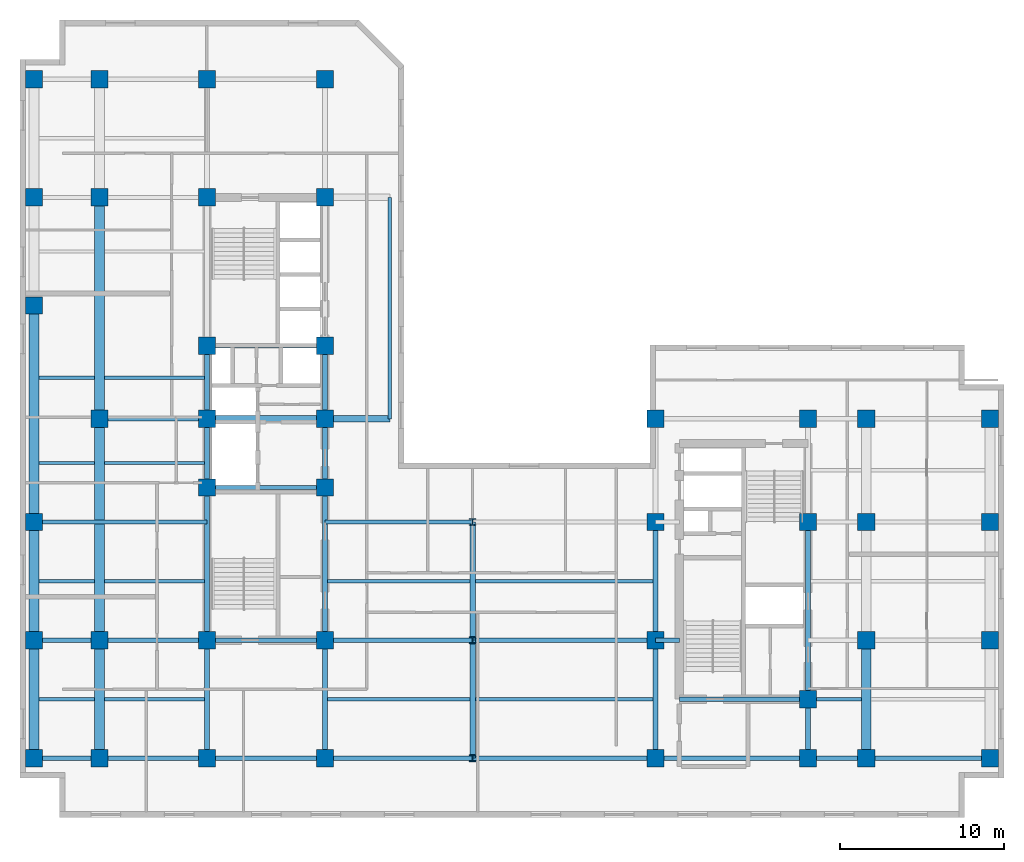
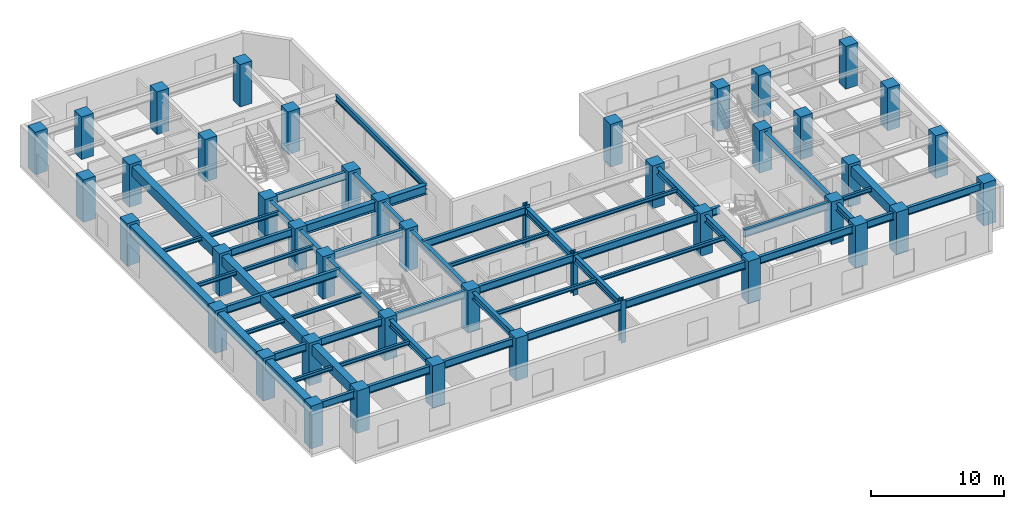
# One storey, part 1 of 10: 56 beams, 44 columns.
"""IFC4 building model written with IfcOpenShell, lengths in metres."""

import ifcopenshell
import ifcopenshell.guid

model = None  # the IFC model being written
_history = None  # IfcOwnerHistory: only IFC2X3 demands one
_inside = {}  # id of a spatial element -> (the spatial element, [elements in it])
_under = {}  # id of a project, library or spatial element -> (it, [spatial elements below it])
_declared = {}  # id of a project -> (the project, [libraries it declares])
_typed = {}  # id of a type object -> (the type object, [elements of that type])
_made_of = {}  # id of a material, layer set ... -> (it, [elements and type objects made of it])


def new_model(schema):
    """Start an empty IFC model of exactly this schema.

    Asked for "IFC4X3", IfcOpenShell would pick the latest addendum, in which some entities
    have other attributes; the version numbers below select the first issue.
    IFC2X3 requires an IfcOwnerHistory on every rooted entity: one is made here for all.
    """
    global model, _history
    if schema == "IFC4X3":
        model = ifcopenshell.file(schema_version=(4, 3, 0, 0))
    else:
        model = ifcopenshell.file(schema=schema)
    _inside.clear()
    _under.clear()
    _declared.clear()
    _typed.clear()
    _made_of.clear()
    _history = None
    if model.schema == "IFC2X3":
        org = make("IfcOrganization", Name="unknown")
        user = make(
            "IfcPersonAndOrganization",
            ThePerson=make("IfcPerson", FamilyName="unknown"),
            TheOrganization=org,
        )
        app = make(
            "IfcApplication",
            ApplicationDeveloper=org,
            Version="unknown",
            ApplicationFullName="unknown",
            ApplicationIdentifier="unknown",
        )
        _history = make(
            "IfcOwnerHistory",
            OwningUser=user,
            OwningApplication=app,
            ChangeAction="ADDED",
            CreationDate=0,
        )
    return model


def make(cls, **values):
    """One entity of the class cls with the attributes given. An attribute that is None is left unset."""
    return model.create_entity(
        cls, **{name: value for name, value in values.items() if value is not None}
    )


def entity(cls, *values):
    """Any entity or typed value of the class cls, its attributes in the order of the schema. None: left unset."""
    e = model.create_entity(cls)
    for i, value in enumerate(values):
        if value is not None:
            e[i] = value
    return e


def rooted(cls, **values):
    """An entity with a GlobalId (a new one), such as an element, a storey or a relation."""
    return make(cls, GlobalId=ifcopenshell.guid.new(), OwnerHistory=_history, **values)


def si_unit(unit_type, name, prefix=None):
    """IfcSIUnit, for example si_unit("LENGTHUNIT", "METRE", prefix="MILLI")."""
    return make("IfcSIUnit", UnitType=unit_type, Prefix=prefix, Name=name)


def converted_unit(unit_type, name, factor, base, dimensions=None, offset=None):
    """IfcConversionBasedUnit, such as the inch: factor (a typed value) times the base unit."""
    return make(
        "IfcConversionBasedUnit"
        if offset is None
        else "IfcConversionBasedUnitWithOffset",
        ConversionOffset=offset,
        Dimensions=None
        if dimensions is None
        else entity("IfcDimensionalExponents", *dimensions),
        UnitType=unit_type,
        Name=name,
        ConversionFactor=make(
            "IfcMeasureWithUnit", ValueComponent=factor, UnitComponent=base
        ),
    )


def assignment(units):
    """IfcUnitAssignment: the units of a project."""
    return None if units is None else make("IfcUnitAssignment", Units=units)


def point(xyz):
    """IfcCartesianPoint."""
    return None if xyz is None else make("IfcCartesianPoint", Coordinates=xyz)


def direction(xyz):
    """IfcDirection."""
    return None if xyz is None else make("IfcDirection", DirectionRatios=xyz)


def frame(location, z_axis=None, x_axis=None):
    """IfcAxis2Placement3D, a coordinate frame: its origin and axes. An axis left out is left unset."""
    return make(
        "IfcAxis2Placement3D",
        Location=point(location),
        Axis=direction(z_axis),
        RefDirection=direction(x_axis),
    )


def frame_2d(location, x_axis=None):
    """IfcAxis2Placement2D, a coordinate frame in the plane: its origin and x axis."""
    return make(
        "IfcAxis2Placement2D", Location=point(location), RefDirection=direction(x_axis)
    )


def origin_with_axes():
    """The frame at (0, 0, 0) with the z axis (0, 0, 1) and the x axis (1, 0, 0) written out."""
    return frame((0.0, 0.0, 0.0), z_axis=(0.0, 0.0, 1.0), x_axis=(1.0, 0.0, 0.0))


def origin_2d_with_axis():
    """The frame at (0, 0) in the plane with the x axis (1, 0) written out."""
    return frame_2d((0.0, 0.0), x_axis=(1.0, 0.0))


def place(relative_to, where):
    """IfcLocalPlacement: puts the frame where relative to a parent placement (None: the world)."""
    return make(
        "IfcLocalPlacement", PlacementRelTo=relative_to, RelativePlacement=where
    )


def context(
    kind, dimensions, precision=None, world=None, true_north=None, identifier=None
):
    """IfcGeometricRepresentationContext, for example the 3D "Model" context."""
    return make(
        "IfcGeometricRepresentationContext",
        ContextIdentifier=identifier,
        ContextType=kind,
        CoordinateSpaceDimension=dimensions,
        Precision=precision,
        WorldCoordinateSystem=world,
        TrueNorth=true_north,
    )


def subcontext(parent, identifier, kind, view, scale=None):
    """IfcGeometricRepresentationSubContext, for example "Body" below "Model"."""
    return make(
        "IfcGeometricRepresentationSubContext",
        ContextIdentifier=identifier,
        ContextType=kind,
        ParentContext=parent,
        TargetScale=scale,
        TargetView=view,
    )


def project(units=None, contexts=None):
    """IfcProject with its units and contexts."""
    return rooted(
        "IfcProject",
        Name="project",
        RepresentationContexts=contexts,
        UnitsInContext=assignment(units),
    )


def spatial(cls, under=None, at=None, **own):
    """A site, building, storey or space (cls), placed at a placement, below another one or the project."""
    s = rooted(cls, ObjectPlacement=at, **own)
    if under is not None:
        _under.setdefault(under.id(), (under, []))[1].append(s)
    return s


def profile(cls, at=None, kind="AREA", **sizes):
    """A parametric profile (cls). Its sizes go by their IFC names, for example OverallWidth=200.0."""
    return make(cls, ProfileType=kind, Position=at, **sizes)


def rectangle(**sizes):
    """IfcRectangleProfileDef."""
    return profile("IfcRectangleProfileDef", **sizes)


def i_section(**sizes):
    """IfcIShapeProfileDef."""
    return profile("IfcIShapeProfileDef", **sizes)


def extrude(swept, where, along, depth):
    """IfcExtrudedAreaSolid: the profile swept, set in the frame where, extruded along a direction by depth."""
    return make(
        "IfcExtrudedAreaSolid",
        SweptArea=swept,
        Position=where,
        ExtrudedDirection=direction(along),
        Depth=depth,
    )


def shape(context_of_items, identifier, shape_type, items):
    """IfcShapeRepresentation: the items that make up one representation, for example the "Body"."""
    return make(
        "IfcShapeRepresentation",
        ContextOfItems=context_of_items,
        RepresentationIdentifier=identifier,
        RepresentationType=shape_type,
        Items=items,
    )


def material(Name=None, Category=None):
    """IfcMaterial."""
    return make("IfcMaterial", Name=Name, Category=Category)


def material_profile(
    of_material, cross_section, Name=None, Category=None, Priority=None
):
    """IfcMaterialProfile: a cross section and its material."""
    return make(
        "IfcMaterialProfile",
        Name=Name,
        Material=of_material,
        Profile=cross_section,
        Priority=Priority,
        Category=Category,
    )


def profile_set(profiles, Name=None, composite=None):
    """IfcMaterialProfileSet."""
    return make(
        "IfcMaterialProfileSet",
        Name=Name,
        MaterialProfiles=profiles,
        CompositeProfile=composite,
    )


def made_of(thing, what):
    """Note that an element or type object is made of a material, layer set ...; save() writes the relation."""
    if what is not None:
        _made_of.setdefault(what.id(), (what, []))[1].append(thing)
    return thing


def type_object(cls, material=None, **own):
    """A type object (cls), such as IfcWallType, which elements share."""
    return made_of(rooted(cls, **own), material)


def element(
    cls,
    number,
    at=None,
    inside=None,
    cuts=None,
    type_object=None,
    material=None,
    context=None,
    identifier="Body",
    shape_type=None,
    held_by="IfcProductDefinitionShape",
    body=None,
    shapes=None,
    **own,
):
    """One element of the class cls, such as IfcWall. Its Tag is "e" and its number.

    at: its placement. inside: the storey or other place that contains it. cuts: it is an
    opening in that element (IfcRelVoidsElement). A single representation is given by context,
    identifier, shape_type and body (its items); several are given by shapes. held_by: the class
    of the entity that holds the representations. save() writes the other relations.
    """
    e = rooted(cls, Tag="e%d" % number, ObjectPlacement=at, **own)
    if body is not None:
        shapes = [shape(context, identifier, shape_type, body)]
    if shapes is not None:
        e.Representation = make(held_by, Representations=shapes)
    if inside is not None:
        _inside.setdefault(inside.id(), (inside, []))[1].append(e)
    if cuts is not None:
        rooted(
            "IfcRelVoidsElement", RelatingBuildingElement=cuts, RelatedOpeningElement=e
        )
    if type_object is not None:
        _typed.setdefault(type_object.id(), (type_object, []))[1].append(e)
    return made_of(e, material)


def aggregate(whole, parts):
    """IfcRelAggregates: a whole, such as a stair, and the parts it consists of."""
    return rooted("IfcRelAggregates", RelatingObject=whole, RelatedObjects=parts)


def save(model, path):
    """Write the relations noted so far, then the file.

    IfcRelAggregates (storeys below a building ...), IfcRelContainedInSpatialStructure (elements
    in a storey), IfcRelDefinesByType, IfcRelAssociatesMaterial and IfcRelDeclares: one each for
    every whole, place, type object, material and project.
    """
    for whole, parts in _under.values():
        aggregate(whole, parts)
    for where, things in _inside.values():
        rooted(
            "IfcRelContainedInSpatialStructure",
            RelatedElements=things,
            RelatingStructure=where,
        )
    for kind, things in _typed.values():
        rooted("IfcRelDefinesByType", RelatedObjects=things, RelatingType=kind)
    for what, things in _made_of.values():
        rooted("IfcRelAssociatesMaterial", RelatedObjects=things, RelatingMaterial=what)
    for by, libraries in _declared.values():
        rooted("IfcRelDeclares", RelatingContext=by, RelatedDefinitions=libraries)
    model.write(path)


model = new_model("IFC4")

# Units and contexts
model_context = context("Model", 3, precision=1e-05, world=origin_with_axes(), true_north=direction((0.0, 1.0)))
body_context = subcontext(model_context, "Body", "Model", "MODEL_VIEW")
ifc_project = project(units=[si_unit("LENGTHUNIT", "METRE"), si_unit("AREAUNIT", "SQUARE_METRE"), si_unit("VOLUMEUNIT", "CUBIC_METRE"), converted_unit("PLANEANGLEUNIT", "DEGREE", entity("IfcPlaneAngleMeasure", 0.017453292519943295), si_unit("PLANEANGLEUNIT", "RADIAN"), dimensions=[0, 0, 0, 0, 0, 0, 0]), si_unit("MASSUNIT", "GRAM", prefix="KILO"), si_unit("THERMODYNAMICTEMPERATUREUNIT", "KELVIN")], contexts=[model_context])

# Site, building, storey
site_placement = place(None, origin_with_axes())
site = spatial("IfcSite", under=ifc_project, at=site_placement, CompositionType="ELEMENT")
building_placement = place(site_placement, origin_with_axes())
building = spatial("IfcBuilding", under=site, at=building_placement, Name="Varnlund Millrace Tower", CompositionType="ELEMENT")
storey_placement = place(building_placement, frame((0.0, 0.0, 160.2), z_axis=(0.0, 0.0, 1.0), x_axis=(1.0, 0.0, 0.0)))
storey = spatial("IfcBuildingStorey", under=building, at=storey_placement, Name="L39", CompositionType="ELEMENT", Elevation=160.2)

# Columns
ifc_material_1 = material(Name="Steel ASTM A913 Grade 65", Category="steel")
ifc_material_profile_1 = material_profile(ifc_material_1, i_section(OverallWidth=0.406, OverallDepth=0.416, WebThickness=0.0298, FlangeThickness=0.048, FilletRadius=0.022, at=origin_2d_with_axis()), Name="Steel ASTM A913 Grade 65")
ifc_profile_set_1 = profile_set([ifc_material_profile_1], Name="Steel ASTM A913 Grade 65")
column_type_1 = type_object("IfcColumnType", Name="Type-Col-Int-W14X257", PredefinedType="COLUMN", material=ifc_profile_set_1)
for number, where, z_axis, x_axis, name in (
    (1, (27.6, 3.6, 0.0), (0.0, 0.0, 1.0), (1.0, 0.0, 0.0), "Type-Col-Int-W14X257"),
    (2, (27.6, 10.8, 0.0), (0.0, 0.0, 1.0), (1.0, 0.0, 0.0), "Type-Col-Int-W14X257"),
    (3, (27.6, 18.0, 0.0), (0.0, 0.0, 1.0), (1.0, 0.0, 0.0), "Type-Col-Int-W14X257"),
):
    element("IfcColumn", number, at=place(storey_placement, frame(where, z_axis=z_axis, x_axis=x_axis)), inside=storey, type_object=column_type_1, Name=name, PredefinedType="COLUMN", context=body_context, shape_type="SweptSolid", body=[
        extrude(i_section(OverallWidth=0.406, OverallDepth=0.416, WebThickness=0.0298, FlangeThickness=0.048, FilletRadius=0.022, at=origin_2d_with_axis()), origin_with_axes(), (0.0, 0.0, 1.0), 3.9),
    ])
ifc_material_2 = material(Name="Concrete C70/85", Category="concrete")
ifc_material_profile_2 = material_profile(ifc_material_2, rectangle(XDim=1.05, YDim=1.05, at=origin_2d_with_axis()), Name="Concrete C70/85")
ifc_profile_set_2 = profile_set([ifc_material_profile_2], Name="Concrete C70/85")
column_type_2 = type_object("IfcColumnType", Name="Type-Col-RC1050-C70", PredefinedType="COLUMN", material=ifc_profile_set_2)
for number, where, z_axis, x_axis, name in (
    (4, (11.4, 3.6, 0.0), (0.0, 0.0, 1.0), (1.0, 0.0, 0.0), "Type-Col-RC1050-C70"),
    (5, (11.4, 10.8, 0.0), (0.0, 0.0, 1.0), (1.0, 0.0, 0.0), "Type-Col-RC1050-C70"),
    (6, (11.4, 20.1, 0.0), (0.0, 0.0, 1.0), (1.0, 0.0, 0.0), "Type-Col-RC1050-C70"),
    (7, (11.4, 24.3, 0.0), (0.0, 0.0, 1.0), (1.0, 0.0, 0.0), "Type-Col-RC1050-C70"),
    (8, (11.4, 28.75, 0.0), (0.0, 0.0, 1.0), (1.0, 0.0, 0.0), "Type-Col-RC1050-C70"),
    (9, (11.4, 37.8, 0.0), (0.0, 0.0, 1.0), (1.0, 0.0, 0.0), "Type-Col-RC1050-C70"),
    (10, (11.4, 45.0, 0.0), (0.0, 0.0, 1.0), (1.0, 0.0, 0.0), "Type-Col-RC1050-C70"),
    (11, (18.6, 3.6, 0.0), (0.0, 0.0, 1.0), (1.0, 0.0, 0.0), "Type-Col-RC1050-C70"),
    (12, (18.6, 10.8, 0.0), (0.0, 0.0, 1.0), (1.0, 0.0, 0.0), "Type-Col-RC1050-C70"),
    (13, (18.6, 20.1, 0.0), (0.0, 0.0, 1.0), (1.0, 0.0, 0.0), "Type-Col-RC1050-C70"),
    (14, (18.6, 24.3, 0.0), (0.0, 0.0, 1.0), (1.0, 0.0, 0.0), "Type-Col-RC1050-C70"),
    (15, (18.6, 28.75, 0.0), (0.0, 0.0, 1.0), (1.0, 0.0, 0.0), "Type-Col-RC1050-C70"),
    (16, (18.6, 37.8, 0.0), (0.0, 0.0, 1.0), (1.0, 0.0, 0.0), "Type-Col-RC1050-C70"),
    (17, (18.6, 45.0, 0.0), (0.0, 0.0, 1.0), (1.0, 0.0, 0.0), "Type-Col-RC1050-C70"),
    (18, (4.85, 3.6, 0.0), (0.0, 0.0, 1.0), (1.0, 0.0, 0.0), "Type-Col-RC1050-C70"),
    (19, (4.85, 10.8, 0.0), (0.0, 0.0, 1.0), (1.0, 0.0, 0.0), "Type-Col-RC1050-C70"),
    (20, (4.85, 24.3, 0.0), (0.0, 0.0, 1.0), (1.0, 0.0, 0.0), "Type-Col-RC1050-C70"),
    (21, (4.85, 37.8, 0.0), (0.0, 0.0, 1.0), (1.0, 0.0, 0.0), "Type-Col-RC1050-C70"),
    (22, (4.85, 45.0, 0.0), (0.0, 0.0, 1.0), (1.0, 0.0, 0.0), "Type-Col-RC1050-C70"),
    (23, (0.85, 3.6, 0.0), (0.0, 0.0, 1.0), (1.0, 0.0, 0.0), "Type-Col-RC1050-C70"),
    (24, (0.85, 10.8, 0.0), (0.0, 0.0, 1.0), (1.0, 0.0, 0.0), "Type-Col-RC1050-C70"),
    (25, (0.85, 18.0, 0.0), (0.0, 0.0, 1.0), (1.0, 0.0, 0.0), "Type-Col-RC1050-C70"),
    (26, (0.85, 31.2, 0.0), (0.0, 0.0, 1.0), (1.0, 0.0, 0.0), "Type-Col-RC1050-C70"),
    (27, (0.85, 37.8, 0.0), (0.0, 0.0, 1.0), (1.0, 0.0, 0.0), "Type-Col-RC1050-C70"),
    (28, (0.85, 45.0, 0.0), (0.0, 0.0, 1.0), (1.0, 0.0, 0.0), "Type-Col-RC1050-C70"),
    (29, (38.75, 3.6, 0.0), (0.0, 0.0, 1.0), (1.0, 0.0, 0.0), "Type-Col-RC1050-C70"),
    (30, (38.75, 10.8, 0.0), (0.0, 0.0, 1.0), (1.0, 0.0, 0.0), "Type-Col-RC1050-C70"),
    (31, (38.75, 18.0, 0.0), (0.0, 0.0, 1.0), (1.0, 0.0, 0.0), "Type-Col-RC1050-C70"),
    (32, (38.75, 24.3, 0.0), (0.0, 0.0, 1.0), (1.0, 0.0, 0.0), "Type-Col-RC1050-C70"),
    (33, (48.05, 3.6, 0.0), (0.0, 0.0, 1.0), (1.0, 0.0, 0.0), "Type-Col-RC1050-C70"),
    (34, (48.05, 7.2, 0.0), (0.0, 0.0, 1.0), (1.0, 0.0, 0.0), "Type-Col-RC1050-C70"),
    (35, (48.05, 18.0, 0.0), (0.0, 0.0, 1.0), (1.0, 0.0, 0.0), "Type-Col-RC1050-C70"),
    (36, (48.05, 24.3, 0.0), (0.0, 0.0, 1.0), (1.0, 0.0, 0.0), "Type-Col-RC1050-C70"),
    (37, (51.6, 3.6, 0.0), (0.0, 0.0, 1.0), (1.0, 0.0, 0.0), "Type-Col-RC1050-C70"),
    (38, (51.6, 10.8, 0.0), (0.0, 0.0, 1.0), (1.0, 0.0, 0.0), "Type-Col-RC1050-C70"),
    (39, (51.6, 18.0, 0.0), (0.0, 0.0, 1.0), (1.0, 0.0, 0.0), "Type-Col-RC1050-C70"),
    (40, (51.6, 24.3, 0.0), (0.0, 0.0, 1.0), (1.0, 0.0, 0.0), "Type-Col-RC1050-C70"),
    (41, (59.15, 3.6, 0.0), (0.0, 0.0, 1.0), (1.0, 0.0, 0.0), "Type-Col-RC1050-C70"),
    (42, (59.15, 10.8, 0.0), (0.0, 0.0, 1.0), (1.0, 0.0, 0.0), "Type-Col-RC1050-C70"),
    (43, (59.15, 18.0, 0.0), (0.0, 0.0, 1.0), (1.0, 0.0, 0.0), "Type-Col-RC1050-C70"),
    (44, (59.15, 24.3, 0.0), (0.0, 0.0, 1.0), (1.0, 0.0, 0.0), "Type-Col-RC1050-C70"),
):
    element("IfcColumn", number, at=place(storey_placement, frame(where, z_axis=z_axis, x_axis=x_axis)), inside=storey, type_object=column_type_2, Name=name, PredefinedType="COLUMN", context=body_context, shape_type="SweptSolid", body=[
        extrude(rectangle(XDim=1.05, YDim=1.05, at=origin_2d_with_axis()), origin_with_axes(), (0.0, 0.0, 1.0), 3.9),
    ])

# Beams
ifc_material_3 = material(Name="Steel ASTM A992 Grade 50", Category="steel")
ifc_material_profile_3 = material_profile(ifc_material_3, i_section(OverallWidth=0.209, OverallDepth=0.533, WebThickness=0.0102, FlangeThickness=0.0156, FilletRadius=0.014, at=origin_2d_with_axis()), Name="Steel ASTM A992 Grade 50")
ifc_profile_set_3 = profile_set([ifc_material_profile_3], Name="Steel ASTM A992 Grade 50")
beam_type_1 = type_object("IfcBeamType", Name="Type-Beam-W21X62", PredefinedType="BEAM", material=ifc_profile_set_3)
beam_1_placement = place(storey_placement, frame((22.55, 24.3, 3.3935), z_axis=(0.0, 1.0, 0.0), x_axis=(-1.0, 0.0, 0.0)))
element("IfcBeam", 45, at=beam_1_placement, inside=storey, type_object=beam_type_1, Name="Type-Beam-W21X62", PredefinedType="BEAM", context=body_context, shape_type="SweptSolid", body=[
    extrude(i_section(OverallWidth=0.209, OverallDepth=0.533, WebThickness=0.0102, FlangeThickness=0.0156, FilletRadius=0.014, at=origin_2d_with_axis()), origin_with_axes(), (0.0, 0.0, 1.0), 13.5),
])
ifc_material_profile_4 = material_profile(ifc_material_3, i_section(OverallWidth=0.328, OverallDepth=0.628, WebThickness=0.0165, FlangeThickness=0.0277, FilletRadius=0.018, at=origin_2d_with_axis()), Name="Steel ASTM A992 Grade 50")
ifc_profile_set_4 = profile_set([ifc_material_profile_4], Name="Steel ASTM A992 Grade 50")
beam_type_2 = type_object("IfcBeamType", Name="Type-Girder-W24X146", PredefinedType="USERDEFINED", material=ifc_profile_set_4)
beam_2_placement = place(storey_placement, frame((11.4, 3.6, 3.346), z_axis=(0.0, 1.0, 0.0), x_axis=(-1.0, 0.0, 0.0)))
element("IfcBeam", 46, at=beam_2_placement, inside=storey, type_object=beam_type_2, Name="Type-Girder-W24X146", ObjectType="GIRDER", PredefinedType="USERDEFINED", context=body_context, shape_type="SweptSolid", body=[
    extrude(i_section(OverallWidth=0.328, OverallDepth=0.628, WebThickness=0.0165, FlangeThickness=0.0277, FilletRadius=0.018, at=origin_2d_with_axis()), origin_with_axes(), (0.0, 0.0, 1.0), 7.2),
])
beam_3_placement = place(storey_placement, frame((11.4, 10.8, 3.346), z_axis=(0.0, 1.0, 0.0), x_axis=(-1.0, 0.0, 0.0)))
element("IfcBeam", 47, at=beam_3_placement, inside=storey, type_object=beam_type_2, Name="Type-Girder-W24X146", ObjectType="GIRDER", PredefinedType="USERDEFINED", context=body_context, shape_type="SweptSolid", body=[
    extrude(i_section(OverallWidth=0.328, OverallDepth=0.628, WebThickness=0.0165, FlangeThickness=0.0277, FilletRadius=0.018, at=origin_2d_with_axis()), origin_with_axes(), (0.0, 0.0, 1.0), 9.3),
])
beam_4_placement = place(storey_placement, frame((11.4, 20.1, 3.346), z_axis=(0.0, 1.0, 0.0), x_axis=(-1.0, 0.0, 0.0)))
element("IfcBeam", 48, at=beam_4_placement, inside=storey, type_object=beam_type_2, Name="Type-Girder-W24X146", ObjectType="GIRDER", PredefinedType="USERDEFINED", context=body_context, shape_type="SweptSolid", body=[
    extrude(i_section(OverallWidth=0.328, OverallDepth=0.628, WebThickness=0.0165, FlangeThickness=0.0277, FilletRadius=0.018, at=origin_2d_with_axis()), origin_with_axes(), (0.0, 0.0, 1.0), 4.2),
])
beam_5_placement = place(storey_placement, frame((11.4, 24.3, 3.346), z_axis=(0.0, 1.0, 0.0), x_axis=(-1.0, 0.0, 0.0)))
element("IfcBeam", 49, at=beam_5_placement, inside=storey, type_object=beam_type_2, Name="Type-Girder-W24X146", ObjectType="GIRDER", PredefinedType="USERDEFINED", context=body_context, shape_type="SweptSolid", body=[
    extrude(i_section(OverallWidth=0.328, OverallDepth=0.628, WebThickness=0.0165, FlangeThickness=0.0277, FilletRadius=0.018, at=origin_2d_with_axis()), origin_with_axes(), (0.0, 0.0, 1.0), 4.45),
])
beam_6_placement = place(storey_placement, frame((18.6, 3.6, 3.346), z_axis=(0.0, 1.0, 0.0), x_axis=(-1.0, 0.0, 0.0)))
element("IfcBeam", 50, at=beam_6_placement, inside=storey, type_object=beam_type_2, Name="Type-Girder-W24X146", ObjectType="GIRDER", PredefinedType="USERDEFINED", context=body_context, shape_type="SweptSolid", body=[
    extrude(i_section(OverallWidth=0.328, OverallDepth=0.628, WebThickness=0.0165, FlangeThickness=0.0277, FilletRadius=0.018, at=origin_2d_with_axis()), origin_with_axes(), (0.0, 0.0, 1.0), 7.2),
])
beam_7_placement = place(storey_placement, frame((18.6, 10.8, 3.346), z_axis=(0.0, 1.0, 0.0), x_axis=(-1.0, 0.0, 0.0)))
element("IfcBeam", 51, at=beam_7_placement, inside=storey, type_object=beam_type_2, Name="Type-Girder-W24X146", ObjectType="GIRDER", PredefinedType="USERDEFINED", context=body_context, shape_type="SweptSolid", body=[
    extrude(i_section(OverallWidth=0.328, OverallDepth=0.628, WebThickness=0.0165, FlangeThickness=0.0277, FilletRadius=0.018, at=origin_2d_with_axis()), origin_with_axes(), (0.0, 0.0, 1.0), 9.3),
])
beam_8_placement = place(storey_placement, frame((18.6, 20.1, 3.346), z_axis=(0.0, 1.0, 0.0), x_axis=(-1.0, 0.0, 0.0)))
element("IfcBeam", 52, at=beam_8_placement, inside=storey, type_object=beam_type_2, Name="Type-Girder-W24X146", ObjectType="GIRDER", PredefinedType="USERDEFINED", context=body_context, shape_type="SweptSolid", body=[
    extrude(i_section(OverallWidth=0.328, OverallDepth=0.628, WebThickness=0.0165, FlangeThickness=0.0277, FilletRadius=0.018, at=origin_2d_with_axis()), origin_with_axes(), (0.0, 0.0, 1.0), 4.2),
])
beam_9_placement = place(storey_placement, frame((18.6, 24.3, 3.346), z_axis=(0.0, 1.0, 0.0), x_axis=(-1.0, 0.0, 0.0)))
element("IfcBeam", 53, at=beam_9_placement, inside=storey, type_object=beam_type_2, Name="Type-Girder-W24X146", ObjectType="GIRDER", PredefinedType="USERDEFINED", context=body_context, shape_type="SweptSolid", body=[
    extrude(i_section(OverallWidth=0.328, OverallDepth=0.628, WebThickness=0.0165, FlangeThickness=0.0277, FilletRadius=0.018, at=origin_2d_with_axis()), origin_with_axes(), (0.0, 0.0, 1.0), 4.45),
])
for number, where, z_axis, x_axis, name in (
    (54, (27.6, 3.6, 3.346), (0.0, 1.0, 0.0), (-1.0, 0.0, 0.0), "Type-Girder-W24X146"),
    (55, (27.6, 10.8, 3.346), (0.0, 1.0, 0.0), (-1.0, 0.0, 0.0), "Type-Girder-W24X146"),
    (56, (38.75, 3.6, 3.346), (0.0, 1.0, 0.0), (-1.0, 0.0, 0.0), "Type-Girder-W24X146"),
    (57, (38.75, 10.8, 3.346), (0.0, 1.0, 0.0), (-1.0, 0.0, 0.0), "Type-Girder-W24X146"),
):
    element("IfcBeam", number, at=place(storey_placement, frame(where, z_axis=z_axis, x_axis=x_axis)), inside=storey, type_object=beam_type_2, Name=name, ObjectType="GIRDER", PredefinedType="USERDEFINED", context=body_context, shape_type="SweptSolid", body=[
        extrude(i_section(OverallWidth=0.328, OverallDepth=0.628, WebThickness=0.0165, FlangeThickness=0.0277, FilletRadius=0.018, at=origin_2d_with_axis()), origin_with_axes(), (0.0, 0.0, 1.0), 7.2),
    ])
beam_10_placement = place(storey_placement, frame((48.05, 3.6, 3.346), z_axis=(0.0, 1.0, 0.0), x_axis=(-1.0, 0.0, 0.0)))
element("IfcBeam", 58, at=beam_10_placement, inside=storey, type_object=beam_type_2, Name="Type-Girder-W24X146", ObjectType="GIRDER", PredefinedType="USERDEFINED", context=body_context, shape_type="SweptSolid", body=[
    extrude(i_section(OverallWidth=0.328, OverallDepth=0.628, WebThickness=0.0165, FlangeThickness=0.0277, FilletRadius=0.018, at=origin_2d_with_axis()), origin_with_axes(), (0.0, 0.0, 1.0), 3.6),
])
beam_11_placement = place(storey_placement, frame((48.05, 7.2, 3.346), z_axis=(0.0, 1.0, 0.0), x_axis=(-1.0, 0.0, 0.0)))
element("IfcBeam", 59, at=beam_11_placement, inside=storey, type_object=beam_type_2, Name="Type-Girder-W24X146", ObjectType="GIRDER", PredefinedType="USERDEFINED", context=body_context, shape_type="SweptSolid", body=[
    extrude(i_section(OverallWidth=0.328, OverallDepth=0.628, WebThickness=0.0165, FlangeThickness=0.0277, FilletRadius=0.018, at=origin_2d_with_axis()), origin_with_axes(), (0.0, 0.0, 1.0), 10.8),
])
ifc_material_profile_5 = material_profile(ifc_material_3, i_section(OverallWidth=0.256, OverallDepth=0.693, WebThickness=0.0145, FlangeThickness=0.0236, FilletRadius=0.018, at=origin_2d_with_axis()), Name="Steel ASTM A992 Grade 50")
ifc_profile_set_5 = profile_set([ifc_material_profile_5], Name="Steel ASTM A992 Grade 50")
beam_type_3 = type_object("IfcBeamType", Name="Type-Girder-W27X114", PredefinedType="USERDEFINED", material=ifc_profile_set_5)
beam_12_placement = place(storey_placement, frame((0.85, 3.6, 3.3135), z_axis=(1.0, 0.0, 0.0), x_axis=(0.0, 1.0, 0.0)))
element("IfcBeam", 60, at=beam_12_placement, inside=storey, type_object=beam_type_3, Name="Type-Girder-W27X114", ObjectType="GIRDER", PredefinedType="USERDEFINED", context=body_context, shape_type="SweptSolid", body=[
    extrude(i_section(OverallWidth=0.256, OverallDepth=0.693, WebThickness=0.0145, FlangeThickness=0.0236, FilletRadius=0.018, at=origin_2d_with_axis()), origin_with_axes(), (0.0, 0.0, 1.0), 4.0),
])
beam_13_placement = place(storey_placement, frame((4.85, 3.6, 3.3135), z_axis=(1.0, 0.0, 0.0), x_axis=(0.0, 1.0, 0.0)))
element("IfcBeam", 61, at=beam_13_placement, inside=storey, type_object=beam_type_3, Name="Type-Girder-W27X114", ObjectType="GIRDER", PredefinedType="USERDEFINED", context=body_context, shape_type="SweptSolid", body=[
    extrude(i_section(OverallWidth=0.256, OverallDepth=0.693, WebThickness=0.0145, FlangeThickness=0.0236, FilletRadius=0.018, at=origin_2d_with_axis()), origin_with_axes(), (0.0, 0.0, 1.0), 6.55),
])
beam_14_placement = place(storey_placement, frame((11.4, 3.6, 3.3135), z_axis=(1.0, 0.0, 0.0), x_axis=(0.0, 1.0, 0.0)))
element("IfcBeam", 62, at=beam_14_placement, inside=storey, type_object=beam_type_3, Name="Type-Girder-W27X114", ObjectType="GIRDER", PredefinedType="USERDEFINED", context=body_context, shape_type="SweptSolid", body=[
    extrude(i_section(OverallWidth=0.256, OverallDepth=0.693, WebThickness=0.0145, FlangeThickness=0.0236, FilletRadius=0.018, at=origin_2d_with_axis()), origin_with_axes(), (0.0, 0.0, 1.0), 7.2),
])
beam_15_placement = place(storey_placement, frame((18.6, 3.6, 3.3135), z_axis=(1.0, 0.0, 0.0), x_axis=(0.0, 1.0, 0.0)))
element("IfcBeam", 63, at=beam_15_placement, inside=storey, type_object=beam_type_3, Name="Type-Girder-W27X114", ObjectType="GIRDER", PredefinedType="USERDEFINED", context=body_context, shape_type="SweptSolid", body=[
    extrude(i_section(OverallWidth=0.256, OverallDepth=0.693, WebThickness=0.0145, FlangeThickness=0.0236, FilletRadius=0.018, at=origin_2d_with_axis()), origin_with_axes(), (0.0, 0.0, 1.0), 9.0),
])
beam_16_placement = place(storey_placement, frame((27.6, 3.6, 3.3135), z_axis=(1.0, 0.0, 0.0), x_axis=(0.0, 1.0, 0.0)))
element("IfcBeam", 64, at=beam_16_placement, inside=storey, type_object=beam_type_3, Name="Type-Girder-W27X114", ObjectType="GIRDER", PredefinedType="USERDEFINED", context=body_context, shape_type="SweptSolid", body=[
    extrude(i_section(OverallWidth=0.256, OverallDepth=0.693, WebThickness=0.0145, FlangeThickness=0.0236, FilletRadius=0.018, at=origin_2d_with_axis()), origin_with_axes(), (0.0, 0.0, 1.0), 11.15),
])
beam_17_placement = place(storey_placement, frame((38.75, 3.6, 3.3135), z_axis=(1.0, 0.0, 0.0), x_axis=(0.0, 1.0, 0.0)))
element("IfcBeam", 65, at=beam_17_placement, inside=storey, type_object=beam_type_3, Name="Type-Girder-W27X114", ObjectType="GIRDER", PredefinedType="USERDEFINED", context=body_context, shape_type="SweptSolid", body=[
    extrude(i_section(OverallWidth=0.256, OverallDepth=0.693, WebThickness=0.0145, FlangeThickness=0.0236, FilletRadius=0.018, at=origin_2d_with_axis()), origin_with_axes(), (0.0, 0.0, 1.0), 9.3),
])
beam_18_placement = place(storey_placement, frame((48.05, 3.6, 3.3135), z_axis=(1.0, 0.0, 0.0), x_axis=(0.0, 1.0, 0.0)))
element("IfcBeam", 66, at=beam_18_placement, inside=storey, type_object=beam_type_3, Name="Type-Girder-W27X114", ObjectType="GIRDER", PredefinedType="USERDEFINED", context=body_context, shape_type="SweptSolid", body=[
    extrude(i_section(OverallWidth=0.256, OverallDepth=0.693, WebThickness=0.0145, FlangeThickness=0.0236, FilletRadius=0.018, at=origin_2d_with_axis()), origin_with_axes(), (0.0, 0.0, 1.0), 3.55),
])
beam_19_placement = place(storey_placement, frame((51.6, 3.6, 3.3135), z_axis=(1.0, 0.0, 0.0), x_axis=(0.0, 1.0, 0.0)))
element("IfcBeam", 67, at=beam_19_placement, inside=storey, type_object=beam_type_3, Name="Type-Girder-W27X114", ObjectType="GIRDER", PredefinedType="USERDEFINED", context=body_context, shape_type="SweptSolid", body=[
    extrude(i_section(OverallWidth=0.256, OverallDepth=0.693, WebThickness=0.0145, FlangeThickness=0.0236, FilletRadius=0.018, at=origin_2d_with_axis()), origin_with_axes(), (0.0, 0.0, 1.0), 7.55),
])
beam_20_placement = place(storey_placement, frame((40.2, 7.2, 3.3135), z_axis=(1.0, 0.0, 0.0), x_axis=(0.0, 1.0, 0.0)))
element("IfcBeam", 68, at=beam_20_placement, inside=storey, type_object=beam_type_3, Name="Type-Girder-W27X114", ObjectType="GIRDER", PredefinedType="USERDEFINED", context=body_context, shape_type="SweptSolid", body=[
    extrude(i_section(OverallWidth=0.256, OverallDepth=0.693, WebThickness=0.0145, FlangeThickness=0.0236, FilletRadius=0.018, at=origin_2d_with_axis()), origin_with_axes(), (0.0, 0.0, 1.0), 7.85),
])
beam_21_placement = place(storey_placement, frame((0.85, 10.8, 3.3135), z_axis=(1.0, 0.0, 0.0), x_axis=(0.0, 1.0, 0.0)))
element("IfcBeam", 69, at=beam_21_placement, inside=storey, type_object=beam_type_3, Name="Type-Girder-W27X114", ObjectType="GIRDER", PredefinedType="USERDEFINED", context=body_context, shape_type="SweptSolid", body=[
    extrude(i_section(OverallWidth=0.256, OverallDepth=0.693, WebThickness=0.0145, FlangeThickness=0.0236, FilletRadius=0.018, at=origin_2d_with_axis()), origin_with_axes(), (0.0, 0.0, 1.0), 4.0),
])
beam_22_placement = place(storey_placement, frame((4.85, 10.8, 3.3135), z_axis=(1.0, 0.0, 0.0), x_axis=(0.0, 1.0, 0.0)))
element("IfcBeam", 70, at=beam_22_placement, inside=storey, type_object=beam_type_3, Name="Type-Girder-W27X114", ObjectType="GIRDER", PredefinedType="USERDEFINED", context=body_context, shape_type="SweptSolid", body=[
    extrude(i_section(OverallWidth=0.256, OverallDepth=0.693, WebThickness=0.0145, FlangeThickness=0.0236, FilletRadius=0.018, at=origin_2d_with_axis()), origin_with_axes(), (0.0, 0.0, 1.0), 6.55),
])
beam_23_placement = place(storey_placement, frame((11.4, 10.8, 3.3135), z_axis=(1.0, 0.0, 0.0), x_axis=(0.0, 1.0, 0.0)))
element("IfcBeam", 71, at=beam_23_placement, inside=storey, type_object=beam_type_3, Name="Type-Girder-W27X114", ObjectType="GIRDER", PredefinedType="USERDEFINED", context=body_context, shape_type="SweptSolid", body=[
    extrude(i_section(OverallWidth=0.256, OverallDepth=0.693, WebThickness=0.0145, FlangeThickness=0.0236, FilletRadius=0.018, at=origin_2d_with_axis()), origin_with_axes(), (0.0, 0.0, 1.0), 7.2),
])
beam_24_placement = place(storey_placement, frame((18.6, 10.8, 3.3135), z_axis=(1.0, 0.0, 0.0), x_axis=(0.0, 1.0, 0.0)))
element("IfcBeam", 72, at=beam_24_placement, inside=storey, type_object=beam_type_3, Name="Type-Girder-W27X114", ObjectType="GIRDER", PredefinedType="USERDEFINED", context=body_context, shape_type="SweptSolid", body=[
    extrude(i_section(OverallWidth=0.256, OverallDepth=0.693, WebThickness=0.0145, FlangeThickness=0.0236, FilletRadius=0.018, at=origin_2d_with_axis()), origin_with_axes(), (0.0, 0.0, 1.0), 9.0),
])
beam_25_placement = place(storey_placement, frame((27.6, 10.8, 3.3135), z_axis=(1.0, 0.0, 0.0), x_axis=(0.0, 1.0, 0.0)))
element("IfcBeam", 73, at=beam_25_placement, inside=storey, type_object=beam_type_3, Name="Type-Girder-W27X114", ObjectType="GIRDER", PredefinedType="USERDEFINED", context=body_context, shape_type="SweptSolid", body=[
    extrude(i_section(OverallWidth=0.256, OverallDepth=0.693, WebThickness=0.0145, FlangeThickness=0.0236, FilletRadius=0.018, at=origin_2d_with_axis()), origin_with_axes(), (0.0, 0.0, 1.0), 11.15),
])
beam_26_placement = place(storey_placement, frame((38.75, 10.8, 3.3135), z_axis=(1.0, 0.0, 0.0), x_axis=(0.0, 1.0, 0.0)))
element("IfcBeam", 74, at=beam_26_placement, inside=storey, type_object=beam_type_3, Name="Type-Girder-W27X114", ObjectType="GIRDER", PredefinedType="USERDEFINED", context=body_context, shape_type="SweptSolid", body=[
    extrude(i_section(OverallWidth=0.256, OverallDepth=0.693, WebThickness=0.0145, FlangeThickness=0.0236, FilletRadius=0.018, at=origin_2d_with_axis()), origin_with_axes(), (0.0, 0.0, 1.0), 1.45),
])
beam_27_placement = place(storey_placement, frame((0.85, 18.0, 3.3135), z_axis=(1.0, 0.0, 0.0), x_axis=(0.0, 1.0, 0.0)))
element("IfcBeam", 75, at=beam_27_placement, inside=storey, type_object=beam_type_3, Name="Type-Girder-W27X114", ObjectType="GIRDER", PredefinedType="USERDEFINED", context=body_context, shape_type="SweptSolid", body=[
    extrude(i_section(OverallWidth=0.256, OverallDepth=0.693, WebThickness=0.0145, FlangeThickness=0.0236, FilletRadius=0.018, at=origin_2d_with_axis()), origin_with_axes(), (0.0, 0.0, 1.0), 10.55),
])
beam_28_placement = place(storey_placement, frame((18.6, 18.0, 3.3135), z_axis=(1.0, 0.0, 0.0), x_axis=(0.0, 1.0, 0.0)))
element("IfcBeam", 76, at=beam_28_placement, inside=storey, type_object=beam_type_3, Name="Type-Girder-W27X114", ObjectType="GIRDER", PredefinedType="USERDEFINED", context=body_context, shape_type="SweptSolid", body=[
    extrude(i_section(OverallWidth=0.256, OverallDepth=0.693, WebThickness=0.0145, FlangeThickness=0.0236, FilletRadius=0.018, at=origin_2d_with_axis()), origin_with_axes(), (0.0, 0.0, 1.0), 9.0),
])
beam_29_placement = place(storey_placement, frame((11.4, 20.1, 3.3135), z_axis=(1.0, 0.0, 0.0), x_axis=(0.0, 1.0, 0.0)))
element("IfcBeam", 77, at=beam_29_placement, inside=storey, type_object=beam_type_3, Name="Type-Girder-W27X114", ObjectType="GIRDER", PredefinedType="USERDEFINED", context=body_context, shape_type="SweptSolid", body=[
    extrude(i_section(OverallWidth=0.256, OverallDepth=0.693, WebThickness=0.0145, FlangeThickness=0.0236, FilletRadius=0.018, at=origin_2d_with_axis()), origin_with_axes(), (0.0, 0.0, 1.0), 7.2),
])
beam_30_placement = place(storey_placement, frame((4.85, 24.3, 3.3135), z_axis=(1.0, 0.0, 0.0), x_axis=(0.0, 1.0, 0.0)))
element("IfcBeam", 78, at=beam_30_placement, inside=storey, type_object=beam_type_3, Name="Type-Girder-W27X114", ObjectType="GIRDER", PredefinedType="USERDEFINED", context=body_context, shape_type="SweptSolid", body=[
    extrude(i_section(OverallWidth=0.256, OverallDepth=0.693, WebThickness=0.0145, FlangeThickness=0.0236, FilletRadius=0.018, at=origin_2d_with_axis()), origin_with_axes(), (0.0, 0.0, 1.0), 6.55),
])
beam_31_placement = place(storey_placement, frame((11.4, 28.75, 3.3135), z_axis=(1.0, 0.0, 0.0), x_axis=(0.0, 1.0, 0.0)))
element("IfcBeam", 79, at=beam_31_placement, inside=storey, type_object=beam_type_3, Name="Type-Girder-W27X114", ObjectType="GIRDER", PredefinedType="USERDEFINED", context=body_context, shape_type="SweptSolid", body=[
    extrude(i_section(OverallWidth=0.256, OverallDepth=0.693, WebThickness=0.0145, FlangeThickness=0.0236, FilletRadius=0.018, at=origin_2d_with_axis()), origin_with_axes(), (0.0, 0.0, 1.0), 7.2),
])
ifc_material_profile_6 = material_profile(ifc_material_3, i_section(OverallWidth=0.399, OverallDepth=0.855, WebThickness=0.0182, FlangeThickness=0.0292, FilletRadius=0.022, at=origin_2d_with_axis()), Name="Steel ASTM A992 Grade 50")
ifc_profile_set_6 = profile_set([ifc_material_profile_6], Name="Steel ASTM A992 Grade 50")
beam_type_4 = type_object("IfcBeamType", Name="Type-Girder-W33X201", PredefinedType="USERDEFINED", material=ifc_profile_set_6)
beam_32_placement = place(storey_placement, frame((11.4, 24.3, 3.2325), z_axis=(1.0, 0.0, 0.0), x_axis=(0.0, 1.0, 0.0)))
element("IfcBeam", 80, at=beam_32_placement, inside=storey, type_object=beam_type_4, Name="Type-Girder-W33X201", ObjectType="GIRDER", PredefinedType="USERDEFINED", context=body_context, shape_type="SweptSolid", body=[
    extrude(i_section(OverallWidth=0.399, OverallDepth=0.855, WebThickness=0.0182, FlangeThickness=0.0292, FilletRadius=0.022, at=origin_2d_with_axis()), origin_with_axes(), (0.0, 0.0, 1.0), 11.15),
])
ifc_material_profile_7 = material_profile(ifc_material_3, i_section(OverallWidth=0.204, OverallDepth=0.35, WebThickness=0.0086, FlangeThickness=0.0151, FilletRadius=0.013, at=origin_2d_with_axis()), Name="Steel ASTM A992 Grade 50")
ifc_profile_set_7 = profile_set([ifc_material_profile_7], Name="Steel ASTM A992 Grade 50")
beam_type_5 = type_object("IfcBeamType", Name="Type-Joist-W14X48", PredefinedType="JOIST", material=ifc_profile_set_7)
for number, where, z_axis, x_axis, name in (
    (81, (1.15, 7.2, 3.485), (1.0, 0.0, 0.0), (0.0, 1.0, 0.0), "Type-Joist-W14X48"),
    (82, (1.15, 14.4, 3.485), (1.0, 0.0, 0.0), (0.0, 1.0, 0.0), "Type-Joist-W14X48"),
    (83, (1.15, 21.6, 3.485), (1.0, 0.0, 0.0), (0.0, 1.0, 0.0), "Type-Joist-W14X48"),
    (84, (1.15, 26.8, 3.485), (1.0, 0.0, 0.0), (0.0, 1.0, 0.0), "Type-Joist-W14X48"),
):
    element("IfcBeam", number, at=place(storey_placement, frame(where, z_axis=z_axis, x_axis=x_axis)), inside=storey, type_object=beam_type_5, Name=name, PredefinedType="JOIST", context=body_context, shape_type="SweptSolid", body=[
        extrude(i_section(OverallWidth=0.204, OverallDepth=0.35, WebThickness=0.0086, FlangeThickness=0.0151, FilletRadius=0.013, at=origin_2d_with_axis()), origin_with_axes(), (0.0, 0.0, 1.0), 3.4),
    ])
for number, where, z_axis, x_axis, name in (
    (85, (5.15, 7.2, 3.485), (1.0, 0.0, 0.0), (0.0, 1.0, 0.0), "Type-Joist-W14X48"),
    (86, (5.15, 14.4, 3.485), (1.0, 0.0, 0.0), (0.0, 1.0, 0.0), "Type-Joist-W14X48"),
    (87, (5.15, 21.6, 3.485), (1.0, 0.0, 0.0), (0.0, 1.0, 0.0), "Type-Joist-W14X48"),
    (88, (5.15, 26.8, 3.485), (1.0, 0.0, 0.0), (0.0, 1.0, 0.0), "Type-Joist-W14X48"),
):
    element("IfcBeam", number, at=place(storey_placement, frame(where, z_axis=z_axis, x_axis=x_axis)), inside=storey, type_object=beam_type_5, Name=name, PredefinedType="JOIST", context=body_context, shape_type="SweptSolid", body=[
        extrude(i_section(OverallWidth=0.204, OverallDepth=0.35, WebThickness=0.0086, FlangeThickness=0.0151, FilletRadius=0.013, at=origin_2d_with_axis()), origin_with_axes(), (0.0, 0.0, 1.0), 6.086),
    ])
beam_33_placement = place(storey_placement, frame((48.214, 7.2, 3.485), z_axis=(1.0, 0.0, 0.0), x_axis=(0.0, 1.0, 0.0)))
element("IfcBeam", 89, at=beam_33_placement, inside=storey, type_object=beam_type_5, Name="Type-Joist-W14X48", PredefinedType="JOIST", context=body_context, shape_type="SweptSolid", body=[
    extrude(i_section(OverallWidth=0.204, OverallDepth=0.35, WebThickness=0.0086, FlangeThickness=0.0151, FilletRadius=0.013, at=origin_2d_with_axis()), origin_with_axes(), (0.0, 0.0, 1.0), 3.086),
])
for number, where, z_axis, x_axis, name in (
    (90, (18.764, 7.2, 3.485), (1.0, 0.0, 0.0), (0.0, 1.0, 0.0), "Type-Joist-W14X48"),
    (91, (18.764, 14.4, 3.485), (1.0, 0.0, 0.0), (0.0, 1.0, 0.0), "Type-Joist-W14X48"),
):
    element("IfcBeam", number, at=place(storey_placement, frame(where, z_axis=z_axis, x_axis=x_axis)), inside=storey, type_object=beam_type_5, Name=name, PredefinedType="JOIST", context=body_context, shape_type="SweptSolid", body=[
        extrude(i_section(OverallWidth=0.204, OverallDepth=0.35, WebThickness=0.0086, FlangeThickness=0.0151, FilletRadius=0.013, at=origin_2d_with_axis()), origin_with_axes(), (0.0, 0.0, 1.0), 8.672),
    ])
for number, where, z_axis, x_axis, name in (
    (92, (27.764, 7.2, 3.485), (1.0, 0.0, 0.0), (0.0, 1.0, 0.0), "Type-Joist-W14X48"),
    (93, (27.764, 14.4, 3.485), (1.0, 0.0, 0.0), (0.0, 1.0, 0.0), "Type-Joist-W14X48"),
):
    element("IfcBeam", number, at=place(storey_placement, frame(where, z_axis=z_axis, x_axis=x_axis)), inside=storey, type_object=beam_type_5, Name=name, PredefinedType="JOIST", context=body_context, shape_type="SweptSolid", body=[
        extrude(i_section(OverallWidth=0.204, OverallDepth=0.35, WebThickness=0.0086, FlangeThickness=0.0151, FilletRadius=0.013, at=origin_2d_with_axis()), origin_with_axes(), (0.0, 0.0, 1.0), 10.822),
    ])
ifc_material_profile_8 = material_profile(ifc_material_2, rectangle(XDim=0.6, YDim=0.9, at=origin_2d_with_axis()), Name="Concrete C70/85")
ifc_profile_set_8 = profile_set([ifc_material_profile_8], Name="Concrete C70/85")
beam_type_6 = type_object("IfcBeamType", Name="Type-Spandrel-RC600X900", PredefinedType="SPANDREL", material=ifc_profile_set_8)
for number, where, z_axis, x_axis, name in (
    (94, (0.85, 3.6, 3.21), (0.0, 1.0, 0.0), (-1.0, 0.0, 0.0), "Type-Spandrel-RC600X900"),
    (95, (0.85, 10.8, 3.21), (0.0, 1.0, 0.0), (-1.0, 0.0, 0.0), "Type-Spandrel-RC600X900"),
):
    element("IfcBeam", number, at=place(storey_placement, frame(where, z_axis=z_axis, x_axis=x_axis)), inside=storey, type_object=beam_type_6, Name=name, PredefinedType="SPANDREL", context=body_context, shape_type="SweptSolid", body=[
        extrude(rectangle(XDim=0.6, YDim=0.9, at=origin_2d_with_axis()), origin_with_axes(), (0.0, 0.0, 1.0), 7.2),
    ])
beam_34_placement = place(storey_placement, frame((0.85, 18.0, 3.21), z_axis=(0.0, 1.0, 0.0), x_axis=(-1.0, 0.0, 0.0)))
element("IfcBeam", 96, at=beam_34_placement, inside=storey, type_object=beam_type_6, Name="Type-Spandrel-RC600X900", PredefinedType="SPANDREL", context=body_context, shape_type="SweptSolid", body=[
    extrude(rectangle(XDim=0.6, YDim=0.9, at=origin_2d_with_axis()), origin_with_axes(), (0.0, 0.0, 1.0), 13.2),
])
beam_35_placement = place(storey_placement, frame((4.85, 3.6, 3.21), z_axis=(0.0, 1.0, 0.0), x_axis=(-1.0, 0.0, 0.0)))
element("IfcBeam", 97, at=beam_35_placement, inside=storey, type_object=beam_type_6, Name="Type-Spandrel-RC600X900", PredefinedType="SPANDREL", context=body_context, shape_type="SweptSolid", body=[
    extrude(rectangle(XDim=0.6, YDim=0.9, at=origin_2d_with_axis()), origin_with_axes(), (0.0, 0.0, 1.0), 7.2),
])
for number, where, z_axis, x_axis, name in (
    (98, (4.85, 10.8, 3.21), (0.0, 1.0, 0.0), (-1.0, 0.0, 0.0), "Type-Spandrel-RC600X900"),
    (99, (4.85, 24.3, 3.21), (0.0, 1.0, 0.0), (-1.0, 0.0, 0.0), "Type-Spandrel-RC600X900"),
):
    element("IfcBeam", number, at=place(storey_placement, frame(where, z_axis=z_axis, x_axis=x_axis)), inside=storey, type_object=beam_type_6, Name=name, PredefinedType="SPANDREL", context=body_context, shape_type="SweptSolid", body=[
        extrude(rectangle(XDim=0.6, YDim=0.9, at=origin_2d_with_axis()), origin_with_axes(), (0.0, 0.0, 1.0), 13.5),
    ])
beam_36_placement = place(storey_placement, frame((51.6, 3.6, 3.21), z_axis=(0.0, 1.0, 0.0), x_axis=(-1.0, 0.0, 0.0)))
element("IfcBeam", 100, at=beam_36_placement, inside=storey, type_object=beam_type_6, Name="Type-Spandrel-RC600X900", PredefinedType="SPANDREL", context=body_context, shape_type="SweptSolid", body=[
    extrude(rectangle(XDim=0.6, YDim=0.9, at=origin_2d_with_axis()), origin_with_axes(), (0.0, 0.0, 1.0), 7.2),
])

save(model, "model.ifc")
